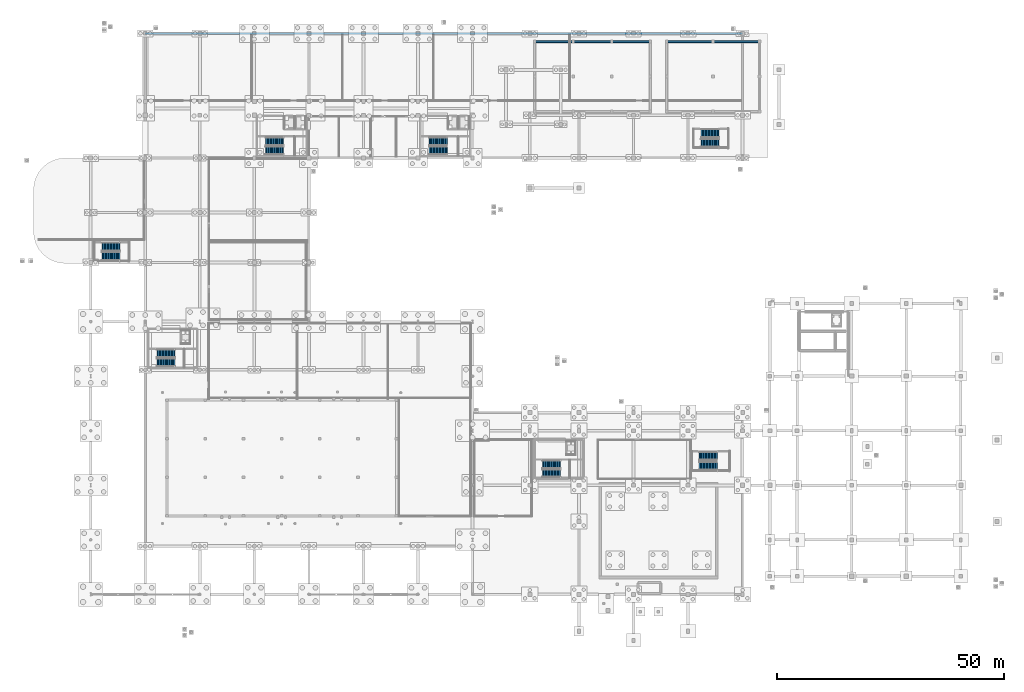
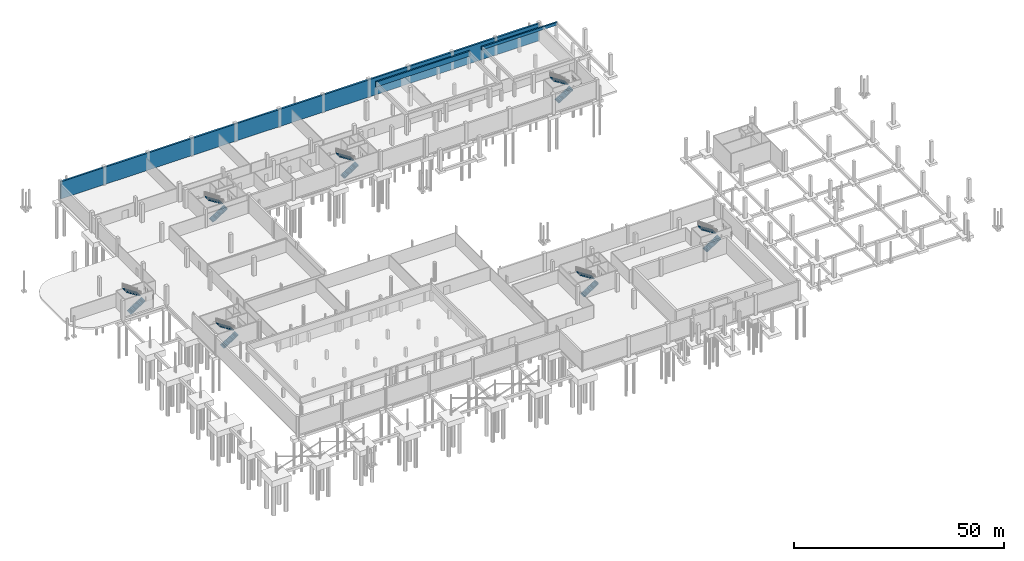
# One storey, part 35 of 42: 14 stair flights, 3 walls, 7 elements without a shape of their own.
"""IFC4 building model written with IfcOpenShell, lengths in metres."""

from ifc_helpers import new_model, si_unit, direction, frame, frame_2d, origin, place, context, subcontext, project, spatial, polyline, rectangle, outline, extrude, material, layer, layer_set, type_object, element, aggregate, save


model = new_model("IFC4")

# Units and contexts
model_context = context("Model", 3, precision=1e-05, world=origin(), true_north=direction((0.0, 1.0)))
body_context = subcontext(model_context, "Body", "Model", "MODEL_VIEW")
ifc_project = project(units=[si_unit("LENGTHUNIT", "METRE"), si_unit("AREAUNIT", "SQUARE_METRE"), si_unit("VOLUMEUNIT", "CUBIC_METRE"), si_unit("PLANEANGLEUNIT", "RADIAN"), si_unit("MASSUNIT", "GRAM", prefix="KILO"), si_unit("THERMODYNAMICTEMPERATUREUNIT", "KELVIN"), si_unit("POWERUNIT", "WATT")], contexts=[model_context])

# Site, building, storey
site_placement = place(None, origin())
site = spatial("IfcSite", under=ifc_project, at=site_placement, CompositionType="ELEMENT")
building_placement = place(site_placement, origin())
building = spatial("IfcBuilding", under=site, at=building_placement, Name="Solmara Park Aquatics Centre", CompositionType="ELEMENT")
storey_placement = place(building_placement, frame((0.0, 0.0, -5.39990234375)))
storey = spatial("IfcBuildingStorey", under=building, at=storey_placement, Name="B1", CompositionType="ELEMENT", Elevation=-5.39990234375)

# Walls
ifc_material_1 = material(Name="Watertight Concrete C45/55", Category="concrete")
ifc_layer_1 = layer(ifc_material_1, 0.5, Name="Watertight Concrete C45/55")
ifc_layer_set_1 = layer_set([ifc_layer_1], Name="Watertight Concrete C45/55")
wall_type_1 = type_object("IfcWallType", Name="STR-WL-RET500", PredefinedType="USERDEFINED", material=ifc_layer_set_1)
wall_1_placement = place(storey_placement, frame((156.0, 136.0, 0.0), z_axis=(0.0, 0.0, 1.0), x_axis=(-1.0, 0.0, 0.0)))
element("IfcWall", 1, at=wall_1_placement, inside=storey, type_object=wall_type_1, Name="Basement Perimeter Retaining Wall 08", ObjectType="RETAINING WALL", PredefinedType="USERDEFINED", context=body_context, shape_type="SweptSolid", body=[
    extrude(rectangle(XDim=131.39990234375, YDim=0.5, at=frame_2d((65.699951171875, 0.0))), origin(), (0.0, 0.0, 1.0), 4.97998046875),
])
ifc_layer_2 = layer(ifc_material_1, 0.39990234375, Name="Watertight Concrete C45/55")
ifc_layer_set_2 = layer_set([ifc_layer_2], Name="Watertight Concrete C45/55")
wall_type_2 = type_object("IfcWallType", Name="STR-WL-TANK400", PredefinedType="SOLIDWALL", material=ifc_layer_set_2)
wall_2_placement = place(storey_placement, frame((110.10009765625, 134.199951171875, 3.599853515625), z_axis=(0.0, 0.0, 1.0), x_axis=(1.0, 0.0, 0.0)))
element("IfcWall", 2, at=wall_2_placement, inside=storey, type_object=wall_type_2, Name="25m Training Pool Watertight Wall WL-POOL-3-N", PredefinedType="SOLIDWALL", context=body_context, shape_type="SweptSolid", body=[
    extrude(rectangle(XDim=25.7998046875, YDim=0.39990234375, at=frame_2d((12.89990234375, 0.0))), origin(), (0.0, 0.0, 1.0), 1.4599609375),
])
wall_3_placement = place(storey_placement, frame((139.10009765625, 134.199951171875, 4.199951171875), z_axis=(0.0, 0.0, 1.0), x_axis=(1.0, 0.0, 0.0)))
element("IfcWall", 3, at=wall_3_placement, inside=storey, type_object=wall_type_2, Name="Leisure and Hydrotherapy Pool Watertight Wall WL-POOL-4-N", PredefinedType="SOLIDWALL", context=body_context, shape_type="SweptSolid", body=[
    extrude(rectangle(XDim=20.7998046875, YDim=0.39990234375, at=frame_2d((10.39990234375, 0.0))), origin(), (0.0, 0.0, 1.0), 0.85986328125),
])

# Stair, stair flights
ifc_material_2 = material(Name="Concrete C40/50", Category="concrete")
stair_type_1 = type_object("IfcStairType", Name="ARC-ST-CORE", PredefinedType="HALF_TURN_STAIR", material=ifc_material_2)
stair_1_placement = place(storey_placement, origin())
stair_1 = element("IfcStair", 4, at=stair_1_placement, inside=storey, type_object=stair_type_1, Name="ST-01 Protected Exit Stair (B1 to L00)", PredefinedType="HALF_TURN_STAIR")
ifc_layer_3 = layer(ifc_material_2, 0.179931640625, Name="Concrete C40/50")
ifc_layer_set_3 = layer_set([ifc_layer_3], Name="Concrete C40/50")
stair_flight_type_1 = type_object("IfcStairFlightType", Name="ARC-STF-01", PredefinedType="STRAIGHT", material=ifc_layer_set_3)
stair_flight_1_placement = place(storey_placement, frame((51.050048828125, 110.235107421875, 0.0), z_axis=(0.0, 0.0, 1.0), x_axis=(1.0, 0.0, 0.0)))
stair_flight_1 = element("IfcStairFlight", 5, at=stair_flight_1_placement, type_object=stair_flight_type_1, Name="ST-01 flight 1", NumberOfRisers=16, NumberOfTreads=15, PredefinedType="STRAIGHT", RiserHeight=0.16875, TreadLength=0.265, context=body_context, shape_type="SweptSolid", body=[
    extrude(outline(polyline([(0.0, 0.0), (0.0, 0.168701171875), (0.264892578125, 0.168701171875), (0.264892578125, 0.33740234375), (0.530029296875, 0.33740234375), (0.530029296875, 0.50634765625), (0.794921875, 0.50634765625), (0.794921875, 0.675048828125), (1.06005859375, 0.675048828125), (1.06005859375, 0.84375), (1.324951171875, 0.84375), (1.324951171875, 1.012451171875), (1.590087890625, 1.012451171875), (1.590087890625, 1.18115234375), (1.85498046875, 1.18115234375), (1.85498046875, 1.35009765625), (2.1201171875, 1.35009765625), (2.1201171875, 1.518798828125), (2.385009765625, 1.518798828125), (2.385009765625, 1.6875), (2.64990234375, 1.6875), (2.64990234375, 1.856201171875), (2.9150390625, 1.856201171875), (2.9150390625, 2.02490234375), (3.179931640625, 2.02490234375), (3.179931640625, 2.19384765625), (3.445068359375, 2.19384765625), (3.445068359375, 2.362548828125), (3.7099609375, 2.362548828125), (3.7099609375, 2.53125), (3.97509765625, 2.53125), (3.97509765625, 2.699951171875), (3.9951171875, 2.699951171875), (3.9951171875, 2.31787109375), (0.35498046875, 0.0), (0.0, 0.0)])), frame((0.0, 0.864990234375, 0.0), z_axis=(0.0, -1.0, 0.0), x_axis=(1.0, 0.0, 0.0)), (0.0, 0.0, 1.0), 1.72998046875),
])
stair_flight_2_placement = place(storey_placement, frame((55.054931640625, 112.264892578125, 2.699951171875), z_axis=(0.0, 0.0, 1.0), x_axis=(-1.0, 0.0, 0.0)))
stair_flight_2 = element("IfcStairFlight", 6, at=stair_flight_2_placement, type_object=stair_flight_type_1, Name="ST-01 flight 2", NumberOfRisers=16, NumberOfTreads=15, PredefinedType="STRAIGHT", RiserHeight=0.16875, TreadLength=0.265, context=body_context, shape_type="SweptSolid", body=[
    extrude(outline(polyline([(0.0, 0.0), (0.0, 0.168701171875), (0.264892578125, 0.168701171875), (0.264892578125, 0.33740234375), (0.530029296875, 0.33740234375), (0.530029296875, 0.50634765625), (0.794921875, 0.50634765625), (0.794921875, 0.675048828125), (1.06005859375, 0.675048828125), (1.06005859375, 0.84375), (1.324951171875, 0.84375), (1.324951171875, 1.012451171875), (1.590087890625, 1.012451171875), (1.590087890625, 1.18115234375), (1.85498046875, 1.18115234375), (1.85498046875, 1.35009765625), (2.1201171875, 1.35009765625), (2.1201171875, 1.518798828125), (2.385009765625, 1.518798828125), (2.385009765625, 1.6875), (2.64990234375, 1.6875), (2.64990234375, 1.856201171875), (2.9150390625, 1.856201171875), (2.9150390625, 2.02490234375), (3.179931640625, 2.02490234375), (3.179931640625, 2.19384765625), (3.445068359375, 2.19384765625), (3.445068359375, 2.362548828125), (3.7099609375, 2.362548828125), (3.7099609375, 2.53125), (3.97509765625, 2.53125), (3.97509765625, 2.699951171875), (3.9951171875, 2.699951171875), (3.9951171875, 2.31787109375), (0.35498046875, 0.0), (0.0, 0.0)])), frame((0.0, 0.864990234375, 0.0), z_axis=(0.0, -1.0, 0.0), x_axis=(1.0, 0.0, 0.0)), (0.0, 0.0, 1.0), 1.72998046875),
])
aggregate(stair_1, [stair_flight_1, stair_flight_2])

stair_2_placement = place(storey_placement, origin())
stair_2 = element("IfcStair", 7, at=stair_2_placement, inside=storey, type_object=stair_type_1, Name="ST-02 Protected Exit Stair (B1 to L00)", PredefinedType="HALF_TURN_STAIR")
stair_flight_3_placement = place(storey_placement, frame((87.050048828125, 110.235107421875, 0.0), z_axis=(0.0, 0.0, 1.0), x_axis=(1.0, 0.0, 0.0)))
stair_flight_3 = element("IfcStairFlight", 8, at=stair_flight_3_placement, type_object=stair_flight_type_1, Name="ST-02 flight 1", NumberOfRisers=16, NumberOfTreads=15, PredefinedType="STRAIGHT", RiserHeight=0.16875, TreadLength=0.265, context=body_context, shape_type="SweptSolid", body=[
    extrude(outline(polyline([(0.0, 0.0), (0.0, 0.168701171875), (0.264892578125, 0.168701171875), (0.264892578125, 0.33740234375), (0.530029296875, 0.33740234375), (0.530029296875, 0.50634765625), (0.794921875, 0.50634765625), (0.794921875, 0.675048828125), (1.06005859375, 0.675048828125), (1.06005859375, 0.84375), (1.324951171875, 0.84375), (1.324951171875, 1.012451171875), (1.590087890625, 1.012451171875), (1.590087890625, 1.18115234375), (1.85498046875, 1.18115234375), (1.85498046875, 1.35009765625), (2.1201171875, 1.35009765625), (2.1201171875, 1.518798828125), (2.385009765625, 1.518798828125), (2.385009765625, 1.6875), (2.64990234375, 1.6875), (2.64990234375, 1.856201171875), (2.9150390625, 1.856201171875), (2.9150390625, 2.02490234375), (3.179931640625, 2.02490234375), (3.179931640625, 2.19384765625), (3.445068359375, 2.19384765625), (3.445068359375, 2.362548828125), (3.7099609375, 2.362548828125), (3.7099609375, 2.53125), (3.97509765625, 2.53125), (3.97509765625, 2.699951171875), (3.9951171875, 2.699951171875), (3.9951171875, 2.31787109375), (0.35498046875, 0.0), (0.0, 0.0)])), frame((0.0, 0.864990234375, 0.0), z_axis=(0.0, -1.0, 0.0), x_axis=(1.0, 0.0, 0.0)), (0.0, 0.0, 1.0), 1.72998046875),
])
stair_flight_4_placement = place(storey_placement, frame((91.054931640625, 112.264892578125, 2.699951171875), z_axis=(0.0, 0.0, 1.0), x_axis=(-1.0, 0.0, 0.0)))
stair_flight_4 = element("IfcStairFlight", 9, at=stair_flight_4_placement, type_object=stair_flight_type_1, Name="ST-02 flight 2", NumberOfRisers=16, NumberOfTreads=15, PredefinedType="STRAIGHT", RiserHeight=0.16875, TreadLength=0.265, context=body_context, shape_type="SweptSolid", body=[
    extrude(outline(polyline([(0.0, 0.0), (0.0, 0.168701171875), (0.264892578125, 0.168701171875), (0.264892578125, 0.33740234375), (0.530029296875, 0.33740234375), (0.530029296875, 0.50634765625), (0.794921875, 0.50634765625), (0.794921875, 0.675048828125), (1.06005859375, 0.675048828125), (1.06005859375, 0.84375), (1.324951171875, 0.84375), (1.324951171875, 1.012451171875), (1.590087890625, 1.012451171875), (1.590087890625, 1.18115234375), (1.85498046875, 1.18115234375), (1.85498046875, 1.35009765625), (2.1201171875, 1.35009765625), (2.1201171875, 1.518798828125), (2.385009765625, 1.518798828125), (2.385009765625, 1.6875), (2.64990234375, 1.6875), (2.64990234375, 1.856201171875), (2.9150390625, 1.856201171875), (2.9150390625, 2.02490234375), (3.179931640625, 2.02490234375), (3.179931640625, 2.19384765625), (3.445068359375, 2.19384765625), (3.445068359375, 2.362548828125), (3.7099609375, 2.362548828125), (3.7099609375, 2.53125), (3.97509765625, 2.53125), (3.97509765625, 2.699951171875), (3.9951171875, 2.699951171875), (3.9951171875, 2.31787109375), (0.35498046875, 0.0), (0.0, 0.0)])), frame((0.0, 0.864990234375, 0.0), z_axis=(0.0, -1.0, 0.0), x_axis=(1.0, 0.0, 0.0)), (0.0, 0.0, 1.0), 1.72998046875),
])
aggregate(stair_2, [stair_flight_3, stair_flight_4])

stair_type_2 = type_object("IfcStairType", Name="ARC-ST-ESC", PredefinedType="HALF_TURN_STAIR", material=ifc_material_2)
stair_3_placement = place(storey_placement, origin())
stair_3 = element("IfcStair", 10, at=stair_3_placement, inside=storey, type_object=stair_type_2, Name="East Wellness Escape Stair ST-07 (B1-L00)", PredefinedType="HALF_TURN_STAIR")
ifc_layer_4 = layer(ifc_material_2, 0.179931640625, Name="Concrete C40/50")
ifc_layer_set_4 = layer_set([ifc_layer_4], Name="Concrete C40/50")
stair_flight_type_2 = type_object("IfcStairFlightType", Name="ARC-STF-02", PredefinedType="STRAIGHT", material=ifc_layer_set_4)
stair_flight_5_placement = place(storey_placement, frame((146.85009765625, 111.8701171875, 0.0), z_axis=(0.0, 0.0, 1.0), x_axis=(1.0, 0.0, 0.0)))
stair_flight_5 = element("IfcStairFlight", 11, at=stair_flight_5_placement, type_object=stair_flight_type_2, Name="ST-07 flight 1", NumberOfRisers=16, NumberOfTreads=15, PredefinedType="STRAIGHT", RiserHeight=0.16875, TreadLength=0.265, context=body_context, shape_type="SweptSolid", body=[
    extrude(outline(polyline([(0.0, 0.0), (0.0, 0.168701171875), (0.264892578125, 0.168701171875), (0.264892578125, 0.33740234375), (0.530029296875, 0.33740234375), (0.530029296875, 0.50634765625), (0.794921875, 0.50634765625), (0.794921875, 0.675048828125), (1.06005859375, 0.675048828125), (1.06005859375, 0.84375), (1.324951171875, 0.84375), (1.324951171875, 1.012451171875), (1.590087890625, 1.012451171875), (1.590087890625, 1.18115234375), (1.85498046875, 1.18115234375), (1.85498046875, 1.35009765625), (2.1201171875, 1.35009765625), (2.1201171875, 1.518798828125), (2.385009765625, 1.518798828125), (2.385009765625, 1.6875), (2.64990234375, 1.6875), (2.64990234375, 1.856201171875), (2.9150390625, 1.856201171875), (2.9150390625, 2.02490234375), (3.179931640625, 2.02490234375), (3.179931640625, 2.19384765625), (3.445068359375, 2.19384765625), (3.445068359375, 2.362548828125), (3.7099609375, 2.362548828125), (3.7099609375, 2.53125), (3.97509765625, 2.53125), (3.97509765625, 2.699951171875), (3.9951171875, 2.699951171875), (3.9951171875, 2.31787109375), (0.35498046875, 0.0), (0.0, 0.0)])), frame((0.0, 0.89990234375, 0.0), z_axis=(0.0, -1.0, 0.0), x_axis=(1.0, 0.0, 0.0)), (0.0, 0.0, 1.0), 1.800048828125),
])
stair_flight_6_placement = place(storey_placement, frame((150.85498046875, 114.030029296875, 2.699951171875), z_axis=(0.0, 0.0, 1.0), x_axis=(-1.0, 0.0, 0.0)))
stair_flight_6 = element("IfcStairFlight", 12, at=stair_flight_6_placement, type_object=stair_flight_type_2, Name="ST-07 flight 2", NumberOfRisers=16, NumberOfTreads=15, PredefinedType="STRAIGHT", RiserHeight=0.16875, TreadLength=0.265, context=body_context, shape_type="SweptSolid", body=[
    extrude(outline(polyline([(0.0, 0.0), (0.0, 0.168701171875), (0.264892578125, 0.168701171875), (0.264892578125, 0.33740234375), (0.530029296875, 0.33740234375), (0.530029296875, 0.50634765625), (0.794921875, 0.50634765625), (0.794921875, 0.675048828125), (1.06005859375, 0.675048828125), (1.06005859375, 0.84375), (1.324951171875, 0.84375), (1.324951171875, 1.012451171875), (1.590087890625, 1.012451171875), (1.590087890625, 1.18115234375), (1.85498046875, 1.18115234375), (1.85498046875, 1.35009765625), (2.1201171875, 1.35009765625), (2.1201171875, 1.518798828125), (2.385009765625, 1.518798828125), (2.385009765625, 1.6875), (2.64990234375, 1.6875), (2.64990234375, 1.856201171875), (2.9150390625, 1.856201171875), (2.9150390625, 2.02490234375), (3.179931640625, 2.02490234375), (3.179931640625, 2.19384765625), (3.445068359375, 2.19384765625), (3.445068359375, 2.362548828125), (3.7099609375, 2.362548828125), (3.7099609375, 2.53125), (3.97509765625, 2.53125), (3.97509765625, 2.699951171875), (3.9951171875, 2.699951171875), (3.9951171875, 2.31787109375), (0.35498046875, 0.0), (0.0, 0.0)])), frame((0.0, 0.89990234375, 0.0), z_axis=(0.0, -1.0, 0.0), x_axis=(1.0, 0.0, 0.0)), (0.0, 0.0, 1.0), 1.800048828125),
])
aggregate(stair_3, [stair_flight_5, stair_flight_6])

stair_4_placement = place(storey_placement, origin())
stair_4 = element("IfcStair", 13, at=stair_4_placement, inside=storey, type_object=stair_type_2, Name="West Changing Escape Stair ST-08 (B1-L00)", PredefinedType="HALF_TURN_STAIR")
stair_flight_7_placement = place(storey_placement, frame((15.050048828125, 86.9599609375, 0.0), z_axis=(0.0, 0.0, 1.0), x_axis=(1.0, 0.0, 0.0)))
stair_flight_7 = element("IfcStairFlight", 14, at=stair_flight_7_placement, type_object=stair_flight_type_2, Name="ST-08 flight 1", NumberOfRisers=16, NumberOfTreads=15, PredefinedType="STRAIGHT", RiserHeight=0.16875, TreadLength=0.265, context=body_context, shape_type="SweptSolid", body=[
    extrude(outline(polyline([(0.0, 0.0), (0.0, 0.168701171875), (0.264892578125, 0.168701171875), (0.264892578125, 0.33740234375), (0.530029296875, 0.33740234375), (0.530029296875, 0.50634765625), (0.794921875, 0.50634765625), (0.794921875, 0.675048828125), (1.06005859375, 0.675048828125), (1.06005859375, 0.84375), (1.324951171875, 0.84375), (1.324951171875, 1.012451171875), (1.590087890625, 1.012451171875), (1.590087890625, 1.18115234375), (1.85498046875, 1.18115234375), (1.85498046875, 1.35009765625), (2.1201171875, 1.35009765625), (2.1201171875, 1.518798828125), (2.385009765625, 1.518798828125), (2.385009765625, 1.6875), (2.64990234375, 1.6875), (2.64990234375, 1.856201171875), (2.9150390625, 1.856201171875), (2.9150390625, 2.02490234375), (3.179931640625, 2.02490234375), (3.179931640625, 2.19384765625), (3.445068359375, 2.19384765625), (3.445068359375, 2.362548828125), (3.7099609375, 2.362548828125), (3.7099609375, 2.53125), (3.97509765625, 2.53125), (3.97509765625, 2.699951171875), (3.9951171875, 2.699951171875), (3.9951171875, 2.31787109375), (0.35498046875, 0.0), (0.0, 0.0)])), frame((0.0, 0.89990234375, 0.0), z_axis=(0.0, -1.0, 0.0), x_axis=(1.0, 0.0, 0.0)), (0.0, 0.0, 1.0), 1.800048828125),
])
stair_flight_8_placement = place(storey_placement, frame((19.054931640625, 89.080078125, 2.699951171875), z_axis=(0.0, 0.0, 1.0), x_axis=(-1.0, 0.0, 0.0)))
stair_flight_8 = element("IfcStairFlight", 15, at=stair_flight_8_placement, type_object=stair_flight_type_2, Name="ST-08 flight 2", NumberOfRisers=16, NumberOfTreads=15, PredefinedType="STRAIGHT", RiserHeight=0.16875, TreadLength=0.265, context=body_context, shape_type="SweptSolid", body=[
    extrude(outline(polyline([(0.0, 0.0), (0.0, 0.168701171875), (0.264892578125, 0.168701171875), (0.264892578125, 0.33740234375), (0.530029296875, 0.33740234375), (0.530029296875, 0.50634765625), (0.794921875, 0.50634765625), (0.794921875, 0.675048828125), (1.06005859375, 0.675048828125), (1.06005859375, 0.84375), (1.324951171875, 0.84375), (1.324951171875, 1.012451171875), (1.590087890625, 1.012451171875), (1.590087890625, 1.18115234375), (1.85498046875, 1.18115234375), (1.85498046875, 1.35009765625), (2.1201171875, 1.35009765625), (2.1201171875, 1.518798828125), (2.385009765625, 1.518798828125), (2.385009765625, 1.6875), (2.64990234375, 1.6875), (2.64990234375, 1.856201171875), (2.9150390625, 1.856201171875), (2.9150390625, 2.02490234375), (3.179931640625, 2.02490234375), (3.179931640625, 2.19384765625), (3.445068359375, 2.19384765625), (3.445068359375, 2.362548828125), (3.7099609375, 2.362548828125), (3.7099609375, 2.53125), (3.97509765625, 2.53125), (3.97509765625, 2.699951171875), (3.9951171875, 2.699951171875), (3.9951171875, 2.31787109375), (0.35498046875, 0.0), (0.0, 0.0)])), frame((0.0, 0.89990234375, 0.0), z_axis=(0.0, -1.0, 0.0), x_axis=(1.0, 0.0, 0.0)), (0.0, 0.0, 1.0), 1.800048828125),
])
aggregate(stair_4, [stair_flight_7, stair_flight_8])

stair_5_placement = place(storey_placement, origin())
stair_5 = element("IfcStair", 16, at=stair_5_placement, inside=storey, type_object=stair_type_2, Name="Diving Pavilion Escape Stair ST-09 (B1-L00)", PredefinedType="HALF_TURN_STAIR")
stair_flight_9_placement = place(storey_placement, frame((146.449951171875, 40.820068359375, 0.0), z_axis=(0.0, 0.0, 1.0), x_axis=(1.0, 0.0, 0.0)))
stair_flight_9 = element("IfcStairFlight", 17, at=stair_flight_9_placement, type_object=stair_flight_type_2, Name="ST-09 flight 1", NumberOfRisers=16, NumberOfTreads=15, PredefinedType="STRAIGHT", RiserHeight=0.16875, TreadLength=0.265, context=body_context, shape_type="SweptSolid", body=[
    extrude(outline(polyline([(0.0, 0.0), (0.0, 0.168701171875), (0.264892578125, 0.168701171875), (0.264892578125, 0.33740234375), (0.530029296875, 0.33740234375), (0.530029296875, 0.50634765625), (0.794921875, 0.50634765625), (0.794921875, 0.675048828125), (1.06005859375, 0.675048828125), (1.06005859375, 0.84375), (1.324951171875, 0.84375), (1.324951171875, 1.012451171875), (1.590087890625, 1.012451171875), (1.590087890625, 1.18115234375), (1.85498046875, 1.18115234375), (1.85498046875, 1.35009765625), (2.1201171875, 1.35009765625), (2.1201171875, 1.518798828125), (2.385009765625, 1.518798828125), (2.385009765625, 1.6875), (2.64990234375, 1.6875), (2.64990234375, 1.856201171875), (2.9150390625, 1.856201171875), (2.9150390625, 2.02490234375), (3.179931640625, 2.02490234375), (3.179931640625, 2.19384765625), (3.445068359375, 2.19384765625), (3.445068359375, 2.362548828125), (3.7099609375, 2.362548828125), (3.7099609375, 2.53125), (3.97509765625, 2.53125), (3.97509765625, 2.699951171875), (3.9951171875, 2.699951171875), (3.9951171875, 2.31787109375), (0.35498046875, 0.0), (0.0, 0.0)])), frame((0.0, 0.89990234375, 0.0), z_axis=(0.0, -1.0, 0.0), x_axis=(1.0, 0.0, 0.0)), (0.0, 0.0, 1.0), 1.800048828125),
])
stair_flight_10_placement = place(storey_placement, frame((150.455078125, 43.080078125, 2.699951171875), z_axis=(0.0, 0.0, 1.0), x_axis=(-1.0, 0.0, 0.0)))
stair_flight_10 = element("IfcStairFlight", 18, at=stair_flight_10_placement, type_object=stair_flight_type_2, Name="ST-09 flight 2", NumberOfRisers=16, NumberOfTreads=15, PredefinedType="STRAIGHT", RiserHeight=0.16875, TreadLength=0.265, context=body_context, shape_type="SweptSolid", body=[
    extrude(outline(polyline([(0.0, 0.0), (0.0, 0.168701171875), (0.264892578125, 0.168701171875), (0.264892578125, 0.33740234375), (0.530029296875, 0.33740234375), (0.530029296875, 0.50634765625), (0.794921875, 0.50634765625), (0.794921875, 0.675048828125), (1.06005859375, 0.675048828125), (1.06005859375, 0.84375), (1.324951171875, 0.84375), (1.324951171875, 1.012451171875), (1.590087890625, 1.012451171875), (1.590087890625, 1.18115234375), (1.85498046875, 1.18115234375), (1.85498046875, 1.35009765625), (2.1201171875, 1.35009765625), (2.1201171875, 1.518798828125), (2.385009765625, 1.518798828125), (2.385009765625, 1.6875), (2.64990234375, 1.6875), (2.64990234375, 1.856201171875), (2.9150390625, 1.856201171875), (2.9150390625, 2.02490234375), (3.179931640625, 2.02490234375), (3.179931640625, 2.19384765625), (3.445068359375, 2.19384765625), (3.445068359375, 2.362548828125), (3.7099609375, 2.362548828125), (3.7099609375, 2.53125), (3.97509765625, 2.53125), (3.97509765625, 2.699951171875), (3.9951171875, 2.699951171875), (3.9951171875, 2.31787109375), (0.35498046875, 0.0), (0.0, 0.0)])), frame((0.0, 0.89990234375, 0.0), z_axis=(0.0, -1.0, 0.0), x_axis=(1.0, 0.0, 0.0)), (0.0, 0.0, 1.0), 1.800048828125),
])
aggregate(stair_5, [stair_flight_9, stair_flight_10])

stair_6_placement = place(storey_placement, origin())
stair_6 = element("IfcStair", 19, at=stair_6_placement, inside=storey, type_object=stair_type_1, Name="ST-03 Protected Exit Stair (B1 to L00)", PredefinedType="HALF_TURN_STAIR")
ifc_layer_5 = layer(ifc_material_2, 0.179931640625, Name="Concrete C40/50")
ifc_layer_set_5 = layer_set([ifc_layer_5], Name="Concrete C40/50")
stair_flight_type_3 = type_object("IfcStairFlightType", Name="ARC-STF-10", PredefinedType="STRAIGHT", material=ifc_layer_set_5)
stair_flight_11_placement = place(storey_placement, frame((111.949951171875, 39.2099609375, 0.0), z_axis=(0.0, 0.0, 1.0), x_axis=(1.0, 0.0, 0.0)))
stair_flight_11 = element("IfcStairFlight", 20, at=stair_flight_11_placement, type_object=stair_flight_type_3, Name="ST-03 flight 1", NumberOfRisers=16, NumberOfTreads=15, PredefinedType="STRAIGHT", RiserHeight=0.16875, TreadLength=0.265, context=body_context, shape_type="SweptSolid", body=[
    extrude(outline(polyline([(0.0, 0.0), (0.0, 0.168701171875), (0.264892578125, 0.168701171875), (0.264892578125, 0.33740234375), (0.530029296875, 0.33740234375), (0.530029296875, 0.50634765625), (0.794921875, 0.50634765625), (0.794921875, 0.675048828125), (1.06005859375, 0.675048828125), (1.06005859375, 0.84375), (1.324951171875, 0.84375), (1.324951171875, 1.012451171875), (1.590087890625, 1.012451171875), (1.590087890625, 1.18115234375), (1.85498046875, 1.18115234375), (1.85498046875, 1.35009765625), (2.1201171875, 1.35009765625), (2.1201171875, 1.518798828125), (2.385009765625, 1.518798828125), (2.385009765625, 1.6875), (2.64990234375, 1.6875), (2.64990234375, 1.856201171875), (2.9150390625, 1.856201171875), (2.9150390625, 2.02490234375), (3.179931640625, 2.02490234375), (3.179931640625, 2.19384765625), (3.445068359375, 2.19384765625), (3.445068359375, 2.362548828125), (3.7099609375, 2.362548828125), (3.7099609375, 2.53125), (3.97509765625, 2.53125), (3.97509765625, 2.699951171875), (3.9951171875, 2.699951171875), (3.9951171875, 2.31787109375), (0.35498046875, 0.0), (0.0, 0.0)])), frame((0.0, 0.83984375, 0.0), z_axis=(0.0, -1.0, 0.0), x_axis=(1.0, 0.0, 0.0)), (0.0, 0.0, 1.0), 1.679931640625),
])
stair_flight_12_placement = place(storey_placement, frame((115.955078125, 41.18994140625, 2.699951171875), z_axis=(0.0, 0.0, 1.0), x_axis=(-1.0, 0.0, 0.0)))
stair_flight_12 = element("IfcStairFlight", 21, at=stair_flight_12_placement, type_object=stair_flight_type_3, Name="ST-03 flight 2", NumberOfRisers=16, NumberOfTreads=15, PredefinedType="STRAIGHT", RiserHeight=0.16875, TreadLength=0.265, context=body_context, shape_type="SweptSolid", body=[
    extrude(outline(polyline([(0.0, 0.0), (0.0, 0.168701171875), (0.264892578125, 0.168701171875), (0.264892578125, 0.33740234375), (0.530029296875, 0.33740234375), (0.530029296875, 0.50634765625), (0.794921875, 0.50634765625), (0.794921875, 0.675048828125), (1.06005859375, 0.675048828125), (1.06005859375, 0.84375), (1.324951171875, 0.84375), (1.324951171875, 1.012451171875), (1.590087890625, 1.012451171875), (1.590087890625, 1.18115234375), (1.85498046875, 1.18115234375), (1.85498046875, 1.35009765625), (2.1201171875, 1.35009765625), (2.1201171875, 1.518798828125), (2.385009765625, 1.518798828125), (2.385009765625, 1.6875), (2.64990234375, 1.6875), (2.64990234375, 1.856201171875), (2.9150390625, 1.856201171875), (2.9150390625, 2.02490234375), (3.179931640625, 2.02490234375), (3.179931640625, 2.19384765625), (3.445068359375, 2.19384765625), (3.445068359375, 2.362548828125), (3.7099609375, 2.362548828125), (3.7099609375, 2.53125), (3.97509765625, 2.53125), (3.97509765625, 2.699951171875), (3.9951171875, 2.699951171875), (3.9951171875, 2.31787109375), (0.35498046875, 0.0), (0.0, 0.0)])), frame((0.0, 0.83984375, 0.0), z_axis=(0.0, -1.0, 0.0), x_axis=(1.0, 0.0, 0.0)), (0.0, 0.0, 1.0), 1.679931640625),
])
aggregate(stair_6, [stair_flight_11, stair_flight_12])

stair_7_placement = place(storey_placement, origin())
stair_7 = element("IfcStair", 22, at=stair_7_placement, inside=storey, type_object=stair_type_1, Name="ST-04 Protected Exit Stair (B1 to L00)", PredefinedType="HALF_TURN_STAIR")
stair_flight_13_placement = place(storey_placement, frame((27.14990234375, 63.610107421875, 0.0), z_axis=(0.0, 0.0, 1.0), x_axis=(1.0, 0.0, 0.0)))
stair_flight_13 = element("IfcStairFlight", 23, at=stair_flight_13_placement, type_object=stair_flight_type_3, Name="ST-04 flight 1", NumberOfRisers=16, NumberOfTreads=15, PredefinedType="STRAIGHT", RiserHeight=0.16875, TreadLength=0.265, context=body_context, shape_type="SweptSolid", body=[
    extrude(outline(polyline([(0.0, 0.0), (0.0, 0.168701171875), (0.264892578125, 0.168701171875), (0.264892578125, 0.33740234375), (0.530029296875, 0.33740234375), (0.530029296875, 0.50634765625), (0.794921875, 0.50634765625), (0.794921875, 0.675048828125), (1.06005859375, 0.675048828125), (1.06005859375, 0.84375), (1.324951171875, 0.84375), (1.324951171875, 1.012451171875), (1.590087890625, 1.012451171875), (1.590087890625, 1.18115234375), (1.85498046875, 1.18115234375), (1.85498046875, 1.35009765625), (2.1201171875, 1.35009765625), (2.1201171875, 1.518798828125), (2.385009765625, 1.518798828125), (2.385009765625, 1.6875), (2.64990234375, 1.6875), (2.64990234375, 1.856201171875), (2.9150390625, 1.856201171875), (2.9150390625, 2.02490234375), (3.179931640625, 2.02490234375), (3.179931640625, 2.19384765625), (3.445068359375, 2.19384765625), (3.445068359375, 2.362548828125), (3.7099609375, 2.362548828125), (3.7099609375, 2.53125), (3.97509765625, 2.53125), (3.97509765625, 2.699951171875), (3.9951171875, 2.699951171875), (3.9951171875, 2.31787109375), (0.35498046875, 0.0), (0.0, 0.0)])), frame((0.0, 0.83984375, 0.0), z_axis=(0.0, -1.0, 0.0), x_axis=(1.0, 0.0, 0.0)), (0.0, 0.0, 1.0), 1.679931640625),
])
stair_flight_14_placement = place(storey_placement, frame((31.155029296875, 65.590087890625, 2.699951171875), z_axis=(0.0, 0.0, 1.0), x_axis=(-1.0, 0.0, 0.0)))
stair_flight_14 = element("IfcStairFlight", 24, at=stair_flight_14_placement, type_object=stair_flight_type_3, Name="ST-04 flight 2", NumberOfRisers=16, NumberOfTreads=15, PredefinedType="STRAIGHT", RiserHeight=0.16875, TreadLength=0.265, context=body_context, shape_type="SweptSolid", body=[
    extrude(outline(polyline([(0.0, 0.0), (0.0, 0.168701171875), (0.264892578125, 0.168701171875), (0.264892578125, 0.33740234375), (0.530029296875, 0.33740234375), (0.530029296875, 0.50634765625), (0.794921875, 0.50634765625), (0.794921875, 0.675048828125), (1.06005859375, 0.675048828125), (1.06005859375, 0.84375), (1.324951171875, 0.84375), (1.324951171875, 1.012451171875), (1.590087890625, 1.012451171875), (1.590087890625, 1.18115234375), (1.85498046875, 1.18115234375), (1.85498046875, 1.35009765625), (2.1201171875, 1.35009765625), (2.1201171875, 1.518798828125), (2.385009765625, 1.518798828125), (2.385009765625, 1.6875), (2.64990234375, 1.6875), (2.64990234375, 1.856201171875), (2.9150390625, 1.856201171875), (2.9150390625, 2.02490234375), (3.179931640625, 2.02490234375), (3.179931640625, 2.19384765625), (3.445068359375, 2.19384765625), (3.445068359375, 2.362548828125), (3.7099609375, 2.362548828125), (3.7099609375, 2.53125), (3.97509765625, 2.53125), (3.97509765625, 2.699951171875), (3.9951171875, 2.699951171875), (3.9951171875, 2.31787109375), (0.35498046875, 0.0), (0.0, 0.0)])), frame((0.0, 0.83984375, 0.0), z_axis=(0.0, -1.0, 0.0), x_axis=(1.0, 0.0, 0.0)), (0.0, 0.0, 1.0), 1.679931640625),
])
aggregate(stair_7, [stair_flight_13, stair_flight_14])

save(model, "model.ifc")
